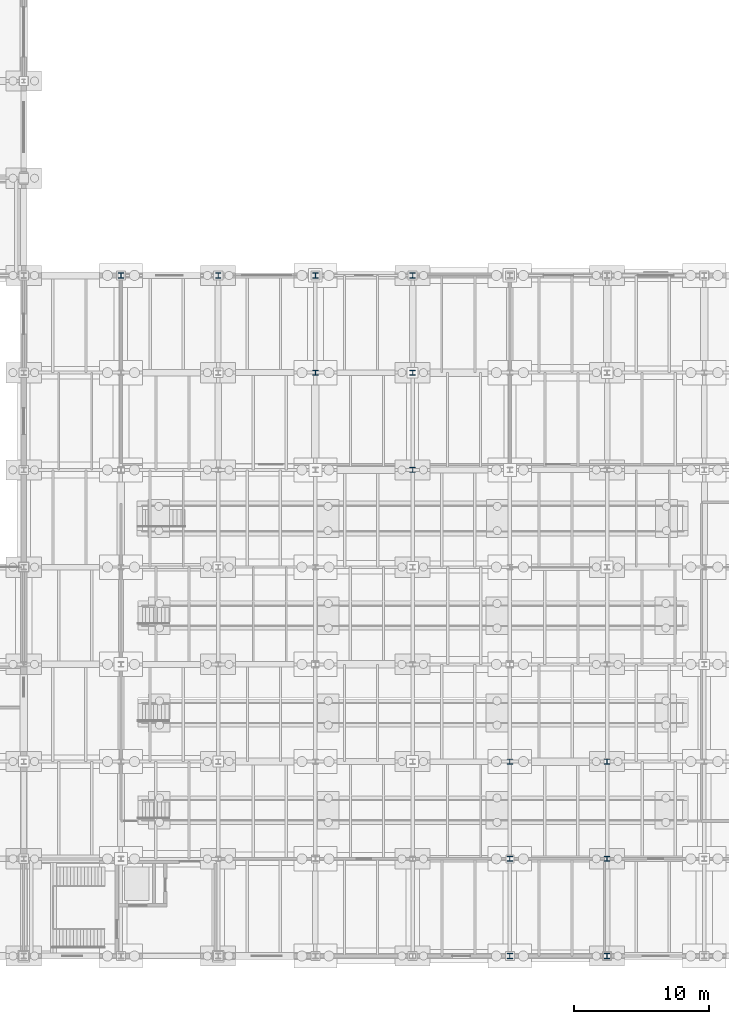
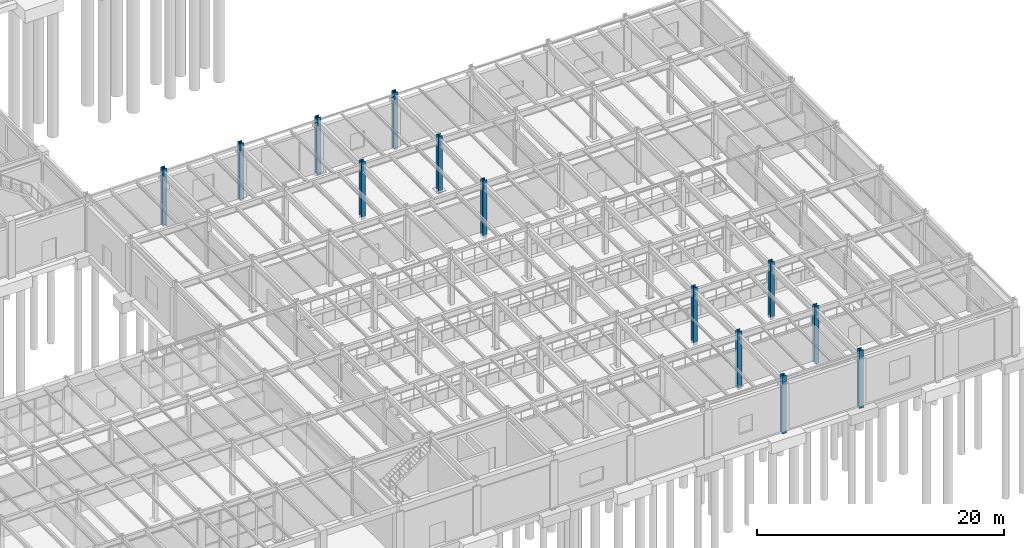
# One storey, part 29 of 293: 13 columns.
"""IFC4 building model written with IfcOpenShell, lengths in metres."""

from ifc_helpers import new_model, si_unit, direction, frame, origin, origin_2d, place, context, subcontext, project, spatial, i_section, extrude, material, material_profile, profile_set, type_object, element, save


model = new_model("IFC4")

# Units and contexts
model_context = context("Model", 3, precision=1e-05, world=origin(), true_north=direction((0.0, 1.0)))
body_context = subcontext(model_context, "Body", "Model", "MODEL_VIEW")
ifc_project = project(units=[si_unit("LENGTHUNIT", "METRE"), si_unit("AREAUNIT", "SQUARE_METRE"), si_unit("VOLUMEUNIT", "CUBIC_METRE"), si_unit("PLANEANGLEUNIT", "RADIAN"), si_unit("MASSUNIT", "GRAM", prefix="KILO")], contexts=[model_context])

# Site, building, storey
site_placement = place(None, origin())
site = spatial("IfcSite", under=ifc_project, at=site_placement, CompositionType="ELEMENT")
building_placement = place(site_placement, origin())
building = spatial("IfcBuilding", under=site, at=building_placement, Name="Kemerveld Promenade Tramway Depot", CompositionType="ELEMENT")
storey_placement = place(building_placement, origin())
storey = spatial("IfcBuildingStorey", under=building, at=storey_placement, Name="L00", CompositionType="ELEMENT", Elevation=0.0)

# Columns
ifc_material = material(Name="Steel S355", Category="steel")
ifc_material_profile = material_profile(ifc_material, i_section(OverallWidth=0.394775390625, OverallDepth=0.381103515625, WebThickness=0.018310546875, FlangeThickness=0.0302734375, FilletRadius=0.01513671875, at=origin_2d()), Name="356x406x235 UC")
ifc_profile_set = profile_set([ifc_material_profile], Name="Steel S355")
column_type = type_object("IfcColumnType", Name="COL-S02", PredefinedType="COLUMN", material=ifc_profile_set)
for number, where, z_axis, x_axis, name in (
    (1, (165.60009765625, 50.39990234375, -0.300048828125), (0.0, 0.0, 1.0), (1.0, 0.0, 0.0), "COL-L00-24-H"),
    (2, (172.800048828125, 50.39990234375, -0.300048828125), (0.0, 0.0, 1.0), (1.0, 0.0, 0.0), "COL-L00-25-H"),
    (3, (180.0, 43.199951171875, -0.300048828125), (0.0, 0.0, 1.0), (1.0, 0.0, 0.0), "COL-L00-26-G"),
    (4, (180.0, 50.39990234375, -0.300048828125), (0.0, 0.0, 1.0), (1.0, 0.0, 0.0), "COL-L00-26-H"),
    (5, (187.199951171875, 36.0, -0.300048828125), (0.0, 0.0, 1.0), (1.0, 0.0, 0.0), "COL-L00-27-F"),
    (6, (187.199951171875, 43.199951171875, -0.300048828125), (0.0, 0.0, 1.0), (1.0, 0.0, 0.0), "COL-L00-27-G"),
    (7, (187.199951171875, 50.39990234375, -0.300048828125), (0.0, 0.0, 1.0), (1.0, 0.0, 0.0), "COL-L00-27-H"),
    (8, (194.39990234375, 0.0, -0.300048828125), (0.0, 0.0, 1.0), (1.0, 0.0, 0.0), "COL-L00-28-A"),
    (9, (194.39990234375, 7.199951171875, -0.300048828125), (0.0, 0.0, 1.0), (1.0, 0.0, 0.0), "COL-L00-28-B"),
    (10, (194.39990234375, 14.39990234375, -0.300048828125), (0.0, 0.0, 1.0), (1.0, 0.0, 0.0), "COL-L00-28-C"),
    (11, (201.60009765625, 0.0, -0.300048828125), (0.0, 0.0, 1.0), (1.0, 0.0, 0.0), "COL-L00-29-A"),
    (12, (201.60009765625, 7.199951171875, -0.300048828125), (0.0, 0.0, 1.0), (1.0, 0.0, 0.0), "COL-L00-29-B"),
    (13, (201.60009765625, 14.39990234375, -0.300048828125), (0.0, 0.0, 1.0), (1.0, 0.0, 0.0), "COL-L00-29-C"),
):
    element("IfcColumn", number, at=place(storey_placement, frame(where, z_axis=z_axis, x_axis=x_axis)), inside=storey, type_object=column_type, Name=name, PredefinedType="COLUMN", context=body_context, shape_type="SweptSolid", body=[
        extrude(i_section(OverallWidth=0.394775390625, OverallDepth=0.381103515625, WebThickness=0.018310546875, FlangeThickness=0.0302734375, FilletRadius=0.01513671875, at=origin_2d()), origin(), (0.0, 0.0, 1.0), 5.699951171875),
    ])

save(model, "model.ifc")
